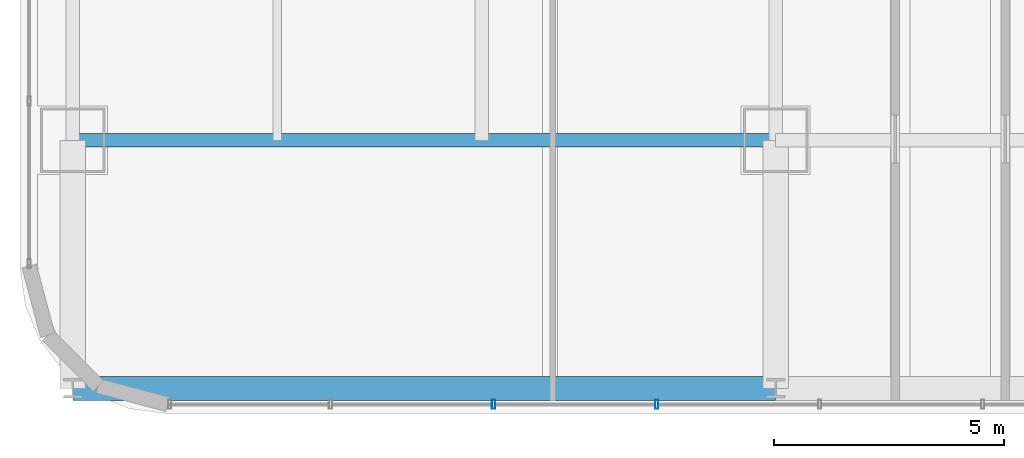
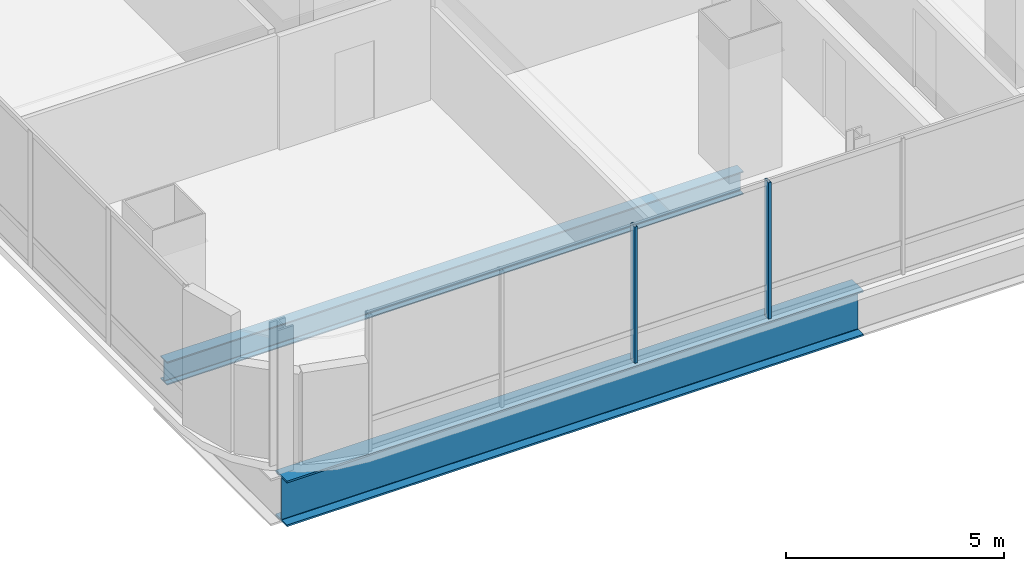
# One storey, part 3 of 36: 2 beams, 2 members, 1 element without a shape of its own.
"""IFC4 building model written with IfcOpenShell, lengths in metres."""

from ifc_helpers import new_model, si_unit, direction, frame, origin, origin_2d, place, context, subcontext, project, spatial, hollow_rectangle, i_section, extrude, material, material_profile, profile_set, type_object, element, aggregate, save


model = new_model("IFC4")

# Units and contexts
model_context = context("Model", 3, precision=1e-05, world=origin(), true_north=direction((0.0, 1.0)))
body_context = subcontext(model_context, "Body", "Model", "MODEL_VIEW")
ifc_project = project(units=[si_unit("LENGTHUNIT", "METRE"), si_unit("AREAUNIT", "SQUARE_METRE"), si_unit("VOLUMEUNIT", "CUBIC_METRE"), si_unit("PLANEANGLEUNIT", "RADIAN"), si_unit("MASSUNIT", "GRAM", prefix="KILO")], contexts=[model_context])

# Site, building, storey
site_placement = place(None, origin())
site = spatial("IfcSite", under=ifc_project, at=site_placement, CompositionType="ELEMENT")
building_placement = place(site_placement, origin())
building = spatial("IfcBuilding", under=site, at=building_placement, Name="Punatoya Terracotta Tower", CompositionType="ELEMENT")
storey_placement = place(building_placement, frame((0.0, 0.0, 228.89990234375)))
storey = spatial("IfcBuildingStorey", under=building, at=storey_placement, Name="L54", CompositionType="ELEMENT", Elevation=228.89990234375)

# Beams
ifc_material_1 = material(Name="Steel S355", Category="steel")
ifc_material_profile_1 = material_profile(ifc_material_1, i_section(OverallWidth=0.300048828125, OverallDepth=0.64990234375, WebThickness=0.01611328125, FlangeThickness=0.031005859375, FilletRadius=0.01806640625, at=origin_2d()))
ifc_profile_set_1 = profile_set([ifc_material_profile_1], Name="Steel S355")
beam_type_1 = type_object("IfcBeamType", Name="BM-PRI-650", PredefinedType="BEAM", material=ifc_profile_set_1)
beam_1_placement = place(storey_placement, frame((-19.10009765625, -17.5, -0.544921875), z_axis=(1.0, 0.0, 0.0), x_axis=(0.0, 1.0, 0.0)))
element("IfcBeam", 1, at=beam_1_placement, inside=storey, type_object=beam_type_1, Name="BM-L54-RG-S1", PredefinedType="BEAM", context=body_context, shape_type="SweptSolid", body=[
    extrude(i_section(OverallWidth=0.300048828125, OverallDepth=0.64990234375, WebThickness=0.01611328125, FlangeThickness=0.031005859375, FilletRadius=0.01806640625, at=origin_2d()), origin(), (0.0, 0.0, 1.0), 15.300048828125),
])
ifc_material_2 = material(Name="Steel S460", Category="steel")
ifc_material_profile_2 = material_profile(ifc_material_2, i_section(OverallWidth=0.52001953125, OverallDepth=1.280029296875, WebThickness=0.031982421875, FlangeThickness=0.050048828125, FilletRadius=0.01806640625, at=origin_2d()))
ifc_profile_set_2 = profile_set([ifc_material_profile_2], Name="Steel S460")
beam_type_2 = type_object("IfcBeamType", Name="BM-TG-NCK", PredefinedType="BEAM", material=ifc_profile_set_2)
beam_2_placement = place(storey_placement, frame((-19.10009765625, -22.89990234375, -0.85986328125), z_axis=(1.0, 0.0, 0.0), x_axis=(0.0, 1.0, 0.0)))
element("IfcBeam", 2, at=beam_2_placement, inside=storey, type_object=beam_type_2, Name="BM-L54-PER-S1", PredefinedType="BEAM", context=body_context, shape_type="SweptSolid", body=[
    extrude(i_section(OverallWidth=0.52001953125, OverallDepth=1.280029296875, WebThickness=0.031982421875, FlangeThickness=0.050048828125, FilletRadius=0.01806640625, at=origin_2d()), origin(), (0.0, 0.0, 1.0), 15.300048828125),
])

# Curtain wall, members
ifc_material_3 = material(Name="Aluminium 6063-T6 + Double Low-E Glass", Category="aluminium")
curtain_wall_type = type_object("IfcCurtainWallType", Name="CW-M2", PredefinedType="NOTDEFINED", material=ifc_material_3)
curtain_wall_placement = place(storey_placement, origin())
curtain_wall = element("IfcCurtainWall", 3, at=curtain_wall_placement, inside=storey, type_object=curtain_wall_type, Name="L54 Curtain Wall CW-L54-S01-1", PredefinedType="NOTDEFINED")
ifc_material_4 = material(Name="Aluminium 6063-T6", Category="aluminium")
ifc_material_profile_3 = material_profile(ifc_material_4, hollow_rectangle(XDim=0.072021484375, YDim=0.195068359375, WallThickness=0.00439453125, at=origin_2d()))
ifc_profile_set_3 = profile_set([ifc_material_profile_3], Name="Aluminium 6063-T6")
member_type = type_object("IfcMemberType", Name="CW-MUL-M2", PredefinedType="MULLION", material=ifc_profile_set_3)
member_1_placement = place(storey_placement, frame((-9.939453125, -23.25, 0.0), z_axis=(0.0, 0.0, 1.0), x_axis=(1.0, 0.0, 0.0)))
member_1 = element("IfcMember", 4, at=member_1_placement, type_object=member_type, Name="CW-L54-S01-1 Mullion 02", PredefinedType="MULLION", context=body_context, shape_type="SweptSolid", body=[
    extrude(hollow_rectangle(XDim=0.072021484375, YDim=0.195068359375, WallThickness=0.00439453125, at=origin_2d()), origin(), (0.0, 0.0, 1.0), 3.830078125),
])
member_2_placement = place(storey_placement, frame((-6.390869140625, -23.25, 0.0), z_axis=(0.0, 0.0, 1.0), x_axis=(1.0, 0.0, 0.0)))
member_2 = element("IfcMember", 5, at=member_2_placement, type_object=member_type, Name="CW-L54-S01-1 Mullion 03", PredefinedType="MULLION", context=body_context, shape_type="SweptSolid", body=[
    extrude(hollow_rectangle(XDim=0.072021484375, YDim=0.195068359375, WallThickness=0.00439453125, at=origin_2d()), origin(), (0.0, 0.0, 1.0), 3.830078125),
])
aggregate(curtain_wall, [member_1, member_2])

save(model, "model.ifc")
